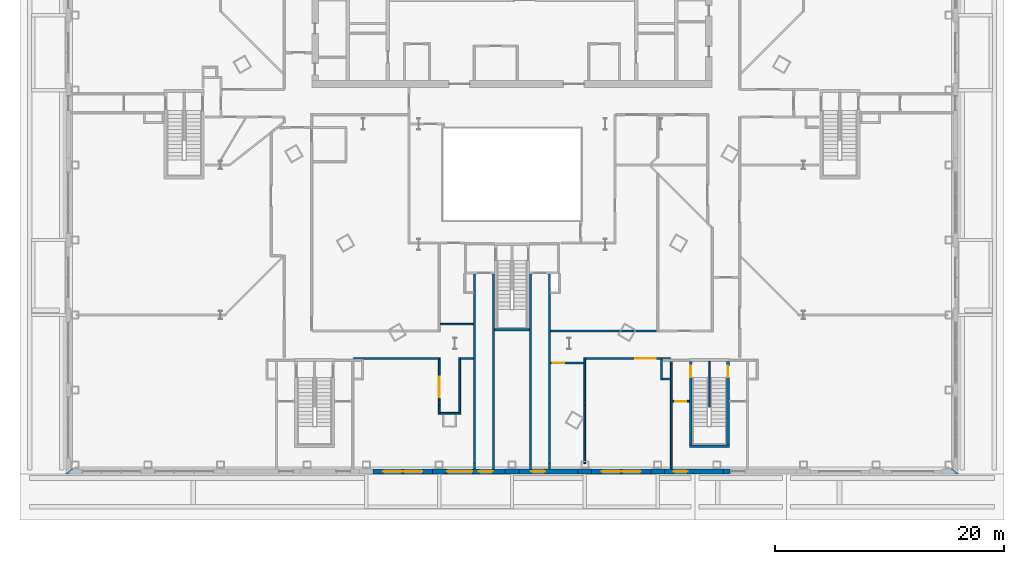
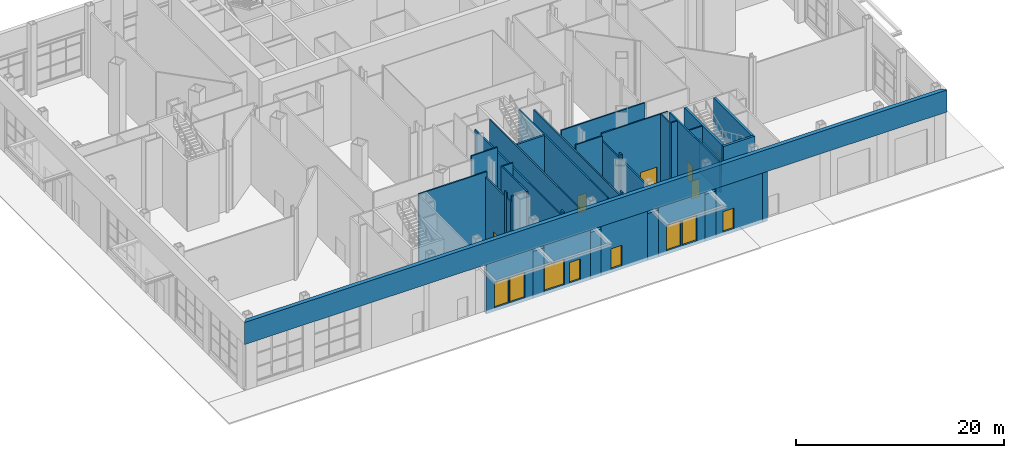
# One storey, part 17 of 34: 40 walls, 14 doors, 14 openings.
"""IFC4 building model written with IfcOpenShell, lengths in metres."""

from ifc_helpers import new_model, si_unit, direction, frame, frame_2d, origin, place, context, subcontext, project, spatial, polyline, rectangle, outline, extrude, material, layer, layer_set, type_object, element, fill, save


model = new_model("IFC4")

# Units and contexts
model_context = context("Model", 3, precision=1e-05, world=origin(), true_north=direction((0.0, 1.0)))
body_context = subcontext(model_context, "Body", "Model", "MODEL_VIEW")
ifc_project = project(units=[si_unit("LENGTHUNIT", "METRE"), si_unit("AREAUNIT", "SQUARE_METRE"), si_unit("VOLUMEUNIT", "CUBIC_METRE"), si_unit("PLANEANGLEUNIT", "RADIAN"), si_unit("MASSUNIT", "GRAM", prefix="KILO")], contexts=[model_context])

# Site, building, storey
site_placement = place(None, origin())
site = spatial("IfcSite", under=ifc_project, at=site_placement, CompositionType="ELEMENT")
building_placement = place(site_placement, origin())
building = spatial("IfcBuilding", under=site, at=building_placement, Name="Njiva Tower", CompositionType="ELEMENT")
storey_placement = place(building_placement, origin())
storey = spatial("IfcBuildingStorey", under=building, at=storey_placement, Name="L00", CompositionType="ELEMENT", Elevation=0.0)

# Wall, opening, door
ifc_material_1 = material(Name="Blockwork", Category="masonry")
ifc_layer_1 = layer(ifc_material_1, 0.15)
ifc_layer_set_1 = layer_set([ifc_layer_1], Name="Blockwork")
wall_type_1 = type_object("IfcWallType", Name="WT2 Lobby partition 150", PredefinedType="PARTITIONING", material=ifc_layer_set_1)
wall_1_placement = place(storey_placement, frame((14.0, -27.45, 0.0), z_axis=(0.0, 0.0, 1.0), x_axis=(1.0, 0.0, 0.0)))
wall_1 = element("IfcWall", 1, at=wall_1_placement, inside=storey, type_object=wall_type_1, Name="Stair E basement vestibule wall", PredefinedType="PARTITIONING", context=body_context, shape_type="SweptSolid", body=[
    extrude(rectangle(XDim=1.5, YDim=0.15, at=frame_2d((0.75, 0.0))), origin(), (0.0, 0.0, 1.0), 8.18),
])
opening_1_placement = place(wall_1_placement, frame((0.25, 0.0, 0.0)))
opening_1 = element("IfcOpeningElement", 2, at=opening_1_placement, cuts=wall_1, Name="Opening L00-D955", PredefinedType="OPENING", context=body_context, shape_type="SweptSolid", body=[
    extrude(rectangle(XDim=1.0, YDim=2.1, at=frame_2d((0.5, 1.05))), frame((0.0, 0.085, 0.0), z_axis=(0.0, -1.0, 0.0), x_axis=(1.0, 0.0, 0.0)), (0.0, 0.0, 1.0), 0.17),
])
ifc_material_2 = material(Name="Glazed steel fire door", Category="steel")
door_type_1 = type_object("IfcDoorType", Name="D11 Stair passage door 1000x2100 glazed", OperationType="SINGLE_SWING_LEFT", PredefinedType="DOOR", material=ifc_material_2)
door_1_placement = place(opening_1_placement, origin())
door_1 = element("IfcDoor", 3, at=door_1_placement, inside=storey, type_object=door_type_1, Name="Stair E passage door", OperationType="SINGLE_SWING_LEFT", OverallHeight=2.1, OverallWidth=1.0, PredefinedType="DOOR", context=body_context, shape_type="SweptSolid", body=[
    extrude(rectangle(XDim=1.0, YDim=2.1, at=frame_2d((0.5, 1.05))), frame((0.0, 0.025, 0.0), z_axis=(0.0, -1.0, 0.0), x_axis=(1.0, 0.0, 0.0)), (0.0, 0.0, 1.0), 0.05),
])
fill(opening_1, door_1)

# Walls
ifc_material_3 = material(Name="Gypsum board on steel studs", Category="gypsum")
ifc_layer_2 = layer(ifc_material_3, 0.15)
ifc_layer_set_2 = layer_set([ifc_layer_2], Name="Gypsum board on steel studs")
wall_type_2 = type_object("IfcWallType", Name="WT21 Compartment wall 150", PredefinedType="PARTITIONING", material=ifc_layer_set_2)
wall_2_placement = place(storey_placement, frame((-13.83, -23.7, 0.0), z_axis=(0.0, 0.0, 1.0), x_axis=(1.0, 0.0, 0.0)))
element("IfcWall", 4, at=wall_2_placement, inside=storey, type_object=wall_type_2, Name="Partition L00-P035", PredefinedType="PARTITIONING", context=body_context, shape_type="SweptSolid", body=[
    extrude(rectangle(XDim=7.545, YDim=0.15, at=frame_2d((3.7725, 0.0))), origin(), (0.0, 0.0, 1.0), 8.18),
])
wall_3_placement = place(storey_placement, frame((-6.361, -28.571, 0.0), z_axis=(0.0, 0.0, 1.0), x_axis=(0.000251572319, 0.999999968356, 0.0)))
element("IfcWall", 5, at=wall_3_placement, inside=storey, type_object=wall_type_2, Name="Partition L00-P040", PredefinedType="PARTITIONING", context=body_context, shape_type="SweptSolid", body=[
    extrude(rectangle(XDim=0.795, YDim=0.15, at=frame_2d((0.3975, 0.0))), origin(), (0.0, 0.0, 1.0), 7.58),
])
wall_4_placement = place(storey_placement, frame((-6.3608, -27.776, 0.0), z_axis=(0.0, 0.0, 1.0), x_axis=(0.0, 1.0, 0.0)))
element("IfcWall", 6, at=wall_4_placement, inside=storey, type_object=wall_type_2, Name="Partition L00-P040A", PredefinedType="PARTITIONING", context=body_context, shape_type="SweptSolid", body=[
    extrude(rectangle(XDim=0.39, YDim=0.15, at=frame_2d((0.195, 0.0))), origin(), (0.0, 0.0, 1.0), 8.18),
])

# Wall, opening, door
wall_5_placement = place(storey_placement, frame((-6.3608, -27.386, 0.0), z_axis=(0.0, 0.0, 1.0), x_axis=(0.000221545273, 0.999999975459, 0.0)))
wall_5 = element("IfcWall", 7, at=wall_5_placement, inside=storey, type_object=wall_type_2, Name="Partition L00-P040B", PredefinedType="PARTITIONING", context=body_context, shape_type="SweptSolid", body=[
    extrude(rectangle(XDim=3.611, YDim=0.15, at=frame_2d((1.8055, 0.0))), origin(), (0.0, 0.0, 1.0), 7.58),
])
opening_2_placement = place(wall_5_placement, frame((0.3, 0.0, 0.0)))
opening_2 = element("IfcOpeningElement", 8, at=opening_2_placement, cuts=wall_5, Name="Opening L00-D014", PredefinedType="OPENING", context=body_context, shape_type="SweptSolid", body=[
    extrude(rectangle(XDim=1.8, YDim=2.1, at=frame_2d((0.9, 1.05))), frame((0.0, 0.085, 0.0), z_axis=(0.0, -1.0, 0.0), x_axis=(1.0, 0.0, 0.0)), (0.0, 0.0, 1.0), 0.17),
])
ifc_material_4 = material(Name="Steel fire door set", Category="steel")
door_type_2 = type_object("IfcDoorType", Name="D38 Fire door 1800x2100", OperationType="DOUBLE_DOOR_SINGLE_SWING", PredefinedType="DOOR", material=ifc_material_4)
door_2_placement = place(opening_2_placement, origin())
door_2 = element("IfcDoor", 9, at=door_2_placement, inside=storey, type_object=door_type_2, Name="Door L00-D014", OperationType="DOUBLE_DOOR_SINGLE_SWING", OverallHeight=2.1, OverallWidth=1.8, PredefinedType="DOOR", context=body_context, shape_type="SweptSolid", body=[
    extrude(rectangle(XDim=1.8, YDim=2.1, at=frame_2d((0.9, 1.05))), frame((0.0, 0.025, 0.0), z_axis=(0.0, -1.0, 0.0), x_axis=(1.0, 0.0, 0.0)), (0.0, 0.0, 1.0), 0.05),
])
fill(opening_2, door_2)

# Walls
wall_6_placement = place(storey_placement, frame((-6.292, -20.7, 0.0), z_axis=(0.0, 0.0, 1.0), x_axis=(1.0, 0.0, 0.0)))
element("IfcWall", 10, at=wall_6_placement, inside=storey, type_object=wall_type_2, Name="Partition L00-P041", PredefinedType="PARTITIONING", context=body_context, shape_type="SweptSolid", body=[
    extrude(rectangle(XDim=2.922, YDim=0.15, at=frame_2d((1.461, 0.0))), origin(), (0.0, 0.0, 1.0), 8.18),
])
wall_7_placement = place(storey_placement, frame((-6.286, -28.496, 0.0), z_axis=(0.0, 0.0, 1.0), x_axis=(1.0, 0.0, 0.0)))
element("IfcWall", 11, at=wall_7_placement, inside=storey, type_object=wall_type_2, Name="Partition L00-P043", PredefinedType="PARTITIONING", context=body_context, shape_type="SweptSolid", body=[
    extrude(rectangle(XDim=1.65, YDim=0.15, at=frame_2d((0.825, 0.0))), origin(), (0.0, 0.0, 1.0), 8.18),
])
wall_8_placement = place(storey_placement, frame((-4.561, -28.571, 0.0), z_axis=(0.0, 0.0, 1.0), x_axis=(0.000202183579, 0.999999979561, 0.0)))
element("IfcWall", 12, at=wall_8_placement, inside=storey, type_object=wall_type_2, Name="Partition L00-P045", PredefinedType="PARTITIONING", context=body_context, shape_type="SweptSolid", body=[
    extrude(rectangle(XDim=4.946, YDim=0.15, at=frame_2d((2.473, 0.0))), origin(), (0.0, 0.0, 1.0), 8.18),
])
wall_9_placement = place(storey_placement, frame((-4.485, -23.7, 0.0), z_axis=(0.0, 0.0, 1.0), x_axis=(1.0, 0.0, 0.0)))
element("IfcWall", 13, at=wall_9_placement, inside=storey, type_object=wall_type_2, Name="Partition L00-P046", PredefinedType="PARTITIONING", context=body_context, shape_type="SweptSolid", body=[
    extrude(rectangle(XDim=1.115, YDim=0.15, at=frame_2d((0.5575, 0.0))), origin(), (0.0, 0.0, 1.0), 8.18),
])

# Wall, opening, door
wall_10_placement = place(storey_placement, frame((3.37, -24.1, 0.0), z_axis=(0.0, 0.0, 1.0), x_axis=(1.0, 0.0, 0.0)))
wall_10 = element("IfcWall", 14, at=wall_10_placement, inside=storey, type_object=wall_type_2, Name="Partition L00-P047", PredefinedType="PARTITIONING", context=body_context, shape_type="SweptSolid", body=[
    extrude(rectangle(XDim=2.922, YDim=0.15, at=frame_2d((1.461, 0.0))), origin(), (0.0, 0.0, 1.0), 8.18),
])
opening_3_placement = place(wall_10_placement, frame((0.2, 0.0, 0.0)))
opening_3 = element("IfcOpeningElement", 15, at=opening_3_placement, cuts=wall_10, Name="Opening L00-D016", PredefinedType="OPENING", context=body_context, shape_type="SweptSolid", body=[
    extrude(rectangle(XDim=1.0, YDim=2.1, at=frame_2d((0.5, 1.05))), frame((0.0, 0.085, 0.0), z_axis=(0.0, -1.0, 0.0), x_axis=(1.0, 0.0, 0.0)), (0.0, 0.0, 1.0), 0.17),
])
door_type_3 = type_object("IfcDoorType", Name="D37 Fire door 1000x2100", OperationType="SINGLE_SWING_LEFT", PredefinedType="DOOR", material=ifc_material_4)
door_3_placement = place(opening_3_placement, origin())
door_3 = element("IfcDoor", 16, at=door_3_placement, inside=storey, type_object=door_type_3, Name="Door L00-D016", OperationType="SINGLE_SWING_LEFT", OverallHeight=2.1, OverallWidth=1.0, PredefinedType="DOOR", context=body_context, shape_type="SweptSolid", body=[
    extrude(rectangle(XDim=1.0, YDim=2.1, at=frame_2d((0.5, 1.05))), frame((0.0, 0.025, 0.0), z_axis=(0.0, -1.0, 0.0), x_axis=(1.0, 0.0, 0.0)), (0.0, 0.0, 1.0), 0.05),
])
fill(opening_3, door_3)

# Walls
wall_11_placement = place(storey_placement, frame((3.37, -21.3, 0.0), z_axis=(0.0, 0.0, 1.0), x_axis=(0.999999994204, 0.000107665805, 0.0)))
element("IfcWall", 17, at=wall_11_placement, inside=storey, type_object=wall_type_2, Name="Partition L00-P048", PredefinedType="PARTITIONING", context=body_context, shape_type="SweptSolid", body=[
    extrude(rectangle(XDim=9.288, YDim=0.15, at=frame_2d((4.644, 0.0))), origin(), (0.0, 0.0, 1.0), 8.18),
])
wall_12_placement = place(storey_placement, frame((6.367, -32.9, 0.0), z_axis=(0.0, 0.0, 1.0), x_axis=(0.0, 1.0, 0.0)))
element("IfcWall", 18, at=wall_12_placement, inside=storey, type_object=wall_type_2, Name="Partition L00-P051", PredefinedType="PARTITIONING", context=body_context, shape_type="SweptSolid", body=[
    extrude(rectangle(XDim=5.124, YDim=0.15, at=frame_2d((2.562, 0.0))), origin(), (0.0, 0.0, 1.0), 7.58),
])
wall_13_placement = place(storey_placement, frame((6.367, -27.776, 0.0), z_axis=(0.0, 0.0, 1.0), x_axis=(0.0, 1.0, 0.0)))
element("IfcWall", 19, at=wall_13_placement, inside=storey, type_object=wall_type_2, Name="Partition L00-P051A", PredefinedType="PARTITIONING", context=body_context, shape_type="SweptSolid", body=[
    extrude(rectangle(XDim=0.39, YDim=0.15, at=frame_2d((0.195, 0.0))), origin(), (0.0, 0.0, 1.0), 8.18),
])
wall_14_placement = place(storey_placement, frame((6.367, -27.386, 0.0), z_axis=(0.0, 0.0, 1.0), x_axis=(0.0, 1.0, 0.0)))
element("IfcWall", 20, at=wall_14_placement, inside=storey, type_object=wall_type_2, Name="Partition L00-P051B", PredefinedType="PARTITIONING", context=body_context, shape_type="SweptSolid", body=[
    extrude(rectangle(XDim=3.761, YDim=0.15, at=frame_2d((1.8805, 0.0))), origin(), (0.0, 0.0, 1.0), 7.58),
])

# Wall, opening, door
wall_15_placement = place(storey_placement, frame((6.442, -23.7, 0.0), z_axis=(0.0, 0.0, 1.0), x_axis=(1.0, 0.0, 0.0)))
wall_15 = element("IfcWall", 21, at=wall_15_placement, inside=storey, type_object=wall_type_2, Name="Partition L00-P052", PredefinedType="PARTITIONING", context=body_context, shape_type="SweptSolid", body=[
    extrude(rectangle(XDim=7.388, YDim=0.15, at=frame_2d((3.694, 0.0))), origin(), (0.0, 0.0, 1.0), 8.18),
])
opening_4_placement = place(wall_15_placement, frame((4.33, 0.0, 0.0)))
opening_4 = element("IfcOpeningElement", 22, at=opening_4_placement, cuts=wall_15, Name="Opening L00-D018", PredefinedType="OPENING", context=body_context, shape_type="SweptSolid", body=[
    extrude(rectangle(XDim=1.8, YDim=2.1, at=frame_2d((0.9, 1.05))), frame((0.0, 0.085, 0.0), z_axis=(0.0, -1.0, 0.0), x_axis=(1.0, 0.0, 0.0)), (0.0, 0.0, 1.0), 0.17),
])
door_4_placement = place(opening_4_placement, origin())
door_4 = element("IfcDoor", 23, at=door_4_placement, inside=storey, type_object=door_type_2, Name="Door L00-D018", OperationType="DOUBLE_DOOR_SINGLE_SWING", OverallHeight=2.1, OverallWidth=1.8, PredefinedType="DOOR", context=body_context, shape_type="SweptSolid", body=[
    extrude(rectangle(XDim=1.8, YDim=2.1, at=frame_2d((0.9, 1.05))), frame((0.0, 0.025, 0.0), z_axis=(0.0, -1.0, 0.0), x_axis=(1.0, 0.0, 0.0)), (0.0, 0.0, 1.0), 0.05),
])
fill(opening_4, door_4)

# Walls
ifc_layer_3 = layer(ifc_material_1, 0.15)
ifc_layer_set_3 = layer_set([ifc_layer_3], Name="Blockwork")
wall_type_3 = type_object("IfcWallType", Name="WT4 Stair partition 150", PredefinedType="PARTITIONING", material=ifc_layer_set_3)
wall_16_placement = place(storey_placement, frame((1.625, -33.35, 0.0), z_axis=(0.0, 0.0, 1.0), x_axis=(0.0, 1.0, 0.0)))
element("IfcWall", 24, at=wall_16_placement, inside=storey, type_object=wall_type_3, Name="Stair C basement exit passage wall west", PredefinedType="PARTITIONING", context=body_context, shape_type="SweptSolid", body=[
    extrude(rectangle(XDim=17.05, YDim=0.15, at=frame_2d((8.525, 0.0))), origin(), (0.0, 0.0, 1.0), 8.18),
])
wall_17_placement = place(storey_placement, frame((3.275, -33.35, 0.0), z_axis=(0.0, 0.0, 1.0), x_axis=(0.0, 1.0, 0.0)))
element("IfcWall", 25, at=wall_17_placement, inside=storey, type_object=wall_type_3, Name="Stair C basement exit passage wall east", PredefinedType="PARTITIONING", context=body_context, shape_type="SweptSolid", body=[
    extrude(rectangle(XDim=0.45, YDim=0.15, at=frame_2d((0.225, 0.0))), origin(), (0.0, 0.0, 1.0), 8.18),
])
wall_18_placement = place(storey_placement, frame((3.275, -32.9, 0.0), z_axis=(0.0, 0.0, 1.0), x_axis=(0.0, 1.0, 0.0)))
element("IfcWall", 26, at=wall_18_placement, inside=storey, type_object=wall_type_3, Name="Stair C basement exit passage wall east", PredefinedType="PARTITIONING", context=body_context, shape_type="SweptSolid", body=[
    extrude(rectangle(XDim=16.6, YDim=0.15, at=frame_2d((8.3, 0.0))), origin(), (0.0, 0.0, 1.0), 7.58),
])
wall_19_placement = place(storey_placement, frame((-3.275, -33.35, 0.0), z_axis=(0.0, 0.0, 1.0), x_axis=(0.0, 1.0, 0.0)))
element("IfcWall", 27, at=wall_19_placement, inside=storey, type_object=wall_type_3, Name="Stair C upper exit passage wall west", PredefinedType="PARTITIONING", context=body_context, shape_type="SweptSolid", body=[
    extrude(rectangle(XDim=0.45, YDim=0.15, at=frame_2d((0.225, 0.0))), origin(), (0.0, 0.0, 1.0), 8.18),
])
wall_20_placement = place(storey_placement, frame((-3.275, -32.9, 0.0), z_axis=(0.0, 0.0, 1.0), x_axis=(0.0, 1.0, 0.0)))
element("IfcWall", 28, at=wall_20_placement, inside=storey, type_object=wall_type_3, Name="Stair C upper exit passage wall west", PredefinedType="PARTITIONING", context=body_context, shape_type="SweptSolid", body=[
    extrude(rectangle(XDim=16.6, YDim=0.15, at=frame_2d((8.3, 0.0))), origin(), (0.0, 0.0, 1.0), 7.58),
])
wall_21_placement = place(storey_placement, frame((-1.625, -33.35, 0.0), z_axis=(0.0, 0.0, 1.0), x_axis=(0.0, 1.0, 0.0)))
element("IfcWall", 29, at=wall_21_placement, inside=storey, type_object=wall_type_3, Name="Stair C upper exit passage wall east", PredefinedType="PARTITIONING", context=body_context, shape_type="SweptSolid", body=[
    extrude(rectangle(XDim=17.05, YDim=0.15, at=frame_2d((8.525, 0.0))), origin(), (0.0, 0.0, 1.0), 8.18),
])
wall_22_placement = place(storey_placement, frame((17.25, -27.97, 0.0), z_axis=(0.0, 0.0, 1.0), x_axis=(0.0, 1.0, 0.0)))
element("IfcWall", 30, at=wall_22_placement, inside=storey, type_object=wall_type_3, Name="Stair E dividing wall", PredefinedType="PARTITIONING", context=body_context, shape_type="SweptSolid", body=[
    extrude(rectangle(XDim=4.02, YDim=0.15, at=frame_2d((2.01, 0.0))), origin(), (0.0, 0.0, 1.0), 4.0),
])
wall_23_placement = place(storey_placement, frame((13.925, -33.35, 0.0), z_axis=(0.0, 0.0, 1.0), x_axis=(0.0, 1.0, 0.0)))
element("IfcWall", 31, at=wall_23_placement, inside=storey, type_object=wall_type_3, Name="Stair E basement exit passage wall outer", PredefinedType="PARTITIONING", context=body_context, shape_type="SweptSolid", body=[
    extrude(rectangle(XDim=9.425, YDim=0.15, at=frame_2d((4.7125, 0.0))), origin(), (0.0, 0.0, 1.0), 8.18),
])
wall_24_placement = place(storey_placement, frame((13.075, -25.575, 0.0), z_axis=(0.0, 0.0, 1.0), x_axis=(0.0, 1.0, 0.0)))
element("IfcWall", 32, at=wall_24_placement, inside=storey, type_object=wall_type_3, Name="Stair E basement pressurisation shaft wall", PredefinedType="PARTITIONING", context=body_context, shape_type="SweptSolid", body=[
    extrude(rectangle(XDim=1.8, YDim=0.15, at=frame_2d((0.9, 0.0))), origin(), (0.0, 0.0, 1.0), 8.18),
])
wall_25_placement = place(storey_placement, frame((13.85, -25.5, 0.0), z_axis=(0.0, 0.0, 1.0), x_axis=(-1.0, 0.0, 0.0)))
element("IfcWall", 33, at=wall_25_placement, inside=storey, type_object=wall_type_3, Name="Stair E basement pressurisation shaft wall", PredefinedType="PARTITIONING", context=body_context, shape_type="SweptSolid", body=[
    extrude(rectangle(XDim=0.7, YDim=0.15, at=frame_2d((0.35, 0.0))), origin(), (0.0, 0.0, 1.0), 8.18),
])
ifc_material_5 = material(Name="Concrete C40/50", Category="concrete")
ifc_layer_4 = layer(ifc_material_5, 0.225)
ifc_layer_set_4 = layer_set([ifc_layer_4], Name="Concrete C40/50")
wall_type_4 = type_object("IfcWallType", Name="WT8 Stair enclosure wall 225", PredefinedType="SHEAR", material=ifc_layer_set_4)
wall_26_placement = place(storey_placement, frame((-1.55, -21.1875, 0.0), z_axis=(0.0, 0.0, 1.0), x_axis=(1.0, 0.0, 0.0)))
element("IfcWall", 34, at=wall_26_placement, inside=storey, type_object=wall_type_4, Name="Stair C wall south", PredefinedType="SHEAR", context=body_context, shape_type="SweptSolid", body=[
    extrude(rectangle(XDim=3.1, YDim=0.225, at=frame_2d((1.55, 0.0))), origin(), (0.0, 0.0, 1.0), 8.18),
])

# Wall, opening, door
ifc_layer_5 = layer(ifc_material_5, 0.25)
ifc_layer_set_5 = layer_set([ifc_layer_5], Name="Concrete C40/50")
wall_type_5 = type_object("IfcWallType", Name="WT9 Stair enclosure wall 250", PredefinedType="SHEAR", material=ifc_layer_set_5)
wall_27_placement = place(storey_placement, frame((15.625, -31.25, 0.0), z_axis=(0.0, 0.0, 1.0), x_axis=(0.0, 1.0, 0.0)))
wall_27 = element("IfcWall", 35, at=wall_27_placement, inside=storey, type_object=wall_type_5, Name="Stair E wall west", PredefinedType="SHEAR", context=body_context, shape_type="SweptSolid", body=[
    extrude(rectangle(XDim=7.3, YDim=0.25, at=frame_2d((3.65, 0.0))), origin(), (0.0, 0.0, 1.0), 8.18),
])
opening_5_placement = place(wall_27_placement, frame((5.9, 0.0, 0.0)))
opening_5 = element("IfcOpeningElement", 36, at=opening_5_placement, cuts=wall_27, Name="Opening L00-D954", PredefinedType="OPENING", context=body_context, shape_type="SweptSolid", body=[
    extrude(rectangle(XDim=1.0, YDim=2.1, at=frame_2d((0.5, 1.05))), frame((0.0, 0.135, 0.0), z_axis=(0.0, -1.0, 0.0), x_axis=(1.0, 0.0, 0.0)), (0.0, 0.0, 1.0), 0.27),
])
door_type_4 = type_object("IfcDoorType", Name="D9 Stair vestibule door 1000x2100 glazed", OperationType="SINGLE_SWING_LEFT", PredefinedType="DOOR", material=ifc_material_2)
door_5_placement = place(opening_5_placement, origin())
door_5 = element("IfcDoor", 37, at=door_5_placement, inside=storey, type_object=door_type_4, Name="Stair E door", OperationType="SINGLE_SWING_LEFT", OverallHeight=2.1, OverallWidth=1.0, PredefinedType="DOOR", context=body_context, shape_type="SweptSolid", body=[
    extrude(rectangle(XDim=1.0, YDim=2.1, at=frame_2d((0.5, 1.05))), frame((0.0, 0.025, 0.0), z_axis=(0.0, -1.0, 0.0), x_axis=(1.0, 0.0, 0.0)), (0.0, 0.0, 1.0), 0.05),
])
fill(opening_5, door_5)

wall_28_placement = place(storey_placement, frame((18.875, -31.25, 0.0), z_axis=(0.0, 0.0, 1.0), x_axis=(0.0, 1.0, 0.0)))
wall_28 = element("IfcWall", 38, at=wall_28_placement, inside=storey, type_object=wall_type_5, Name="Stair E wall east", PredefinedType="SHEAR", context=body_context, shape_type="SweptSolid", body=[
    extrude(rectangle(XDim=7.3, YDim=0.25, at=frame_2d((3.65, 0.0))), origin(), (0.0, 0.0, 1.0), 8.18),
])
opening_6_placement = place(wall_28_placement, frame((5.9, 0.0, 0.0)))
opening_6 = element("IfcOpeningElement", 39, at=opening_6_placement, cuts=wall_28, Name="Opening L00-D952", PredefinedType="OPENING", context=body_context, shape_type="SweptSolid", body=[
    extrude(rectangle(XDim=1.0, YDim=2.1, at=frame_2d((0.5, 1.05))), frame((0.0, 0.135, 0.0), z_axis=(0.0, -1.0, 0.0), x_axis=(1.0, 0.0, 0.0)), (0.0, 0.0, 1.0), 0.27),
])
door_6_placement = place(opening_6_placement, origin())
door_6 = element("IfcDoor", 40, at=door_6_placement, inside=storey, type_object=door_type_4, Name="Stair E door", OperationType="SINGLE_SWING_RIGHT", OverallHeight=2.1, OverallWidth=1.0, PredefinedType="DOOR", context=body_context, shape_type="SweptSolid", body=[
    extrude(rectangle(XDim=1.0, YDim=2.1, at=frame_2d((0.5, 1.05))), frame((0.0, 0.025, 0.0), z_axis=(0.0, -1.0, 0.0), x_axis=(1.0, 0.0, 0.0)), (0.0, 0.0, 1.0), 0.05),
])
fill(opening_6, door_6)

# Walls
wall_29_placement = place(storey_placement, frame((15.5, -31.375, 0.0), z_axis=(0.0, 0.0, 1.0), x_axis=(1.0, 0.0, 0.0)))
element("IfcWall", 41, at=wall_29_placement, inside=storey, type_object=wall_type_5, Name="Stair E wall south", PredefinedType="SHEAR", context=body_context, shape_type="SweptSolid", body=[
    extrude(rectangle(XDim=3.5, YDim=0.25, at=frame_2d((1.75, 0.0))), origin(), (0.0, 0.0, 1.0), 8.18),
])
ifc_material_6 = material(Name="Brick masonry", Category="masonry")
ifc_layer_6 = layer(ifc_material_6, 0.45)
ifc_layer_set_6 = layer_set([ifc_layer_6], Name="Brick masonry")
wall_type_6 = type_object("IfcWallType", Name="WT90 Brick pier and spandrel wall 450", PredefinedType="SOLIDWALL", material=ifc_layer_set_6)
wall_30_placement = place(storey_placement, frame((-38.775, -33.575, 5.4), z_axis=(0.0, 0.0, 1.0), x_axis=(1.0, 0.0, 0.0)))
element("IfcWall", 42, at=wall_30_placement, inside=storey, type_object=wall_type_6, Name="Podium frieze S", PredefinedType="SOLIDWALL", context=body_context, shape_type="SweptSolid", body=[
    extrude(outline(polyline([(-0.225, -0.225), (77.775, -0.225), (77.325, 0.225), (0.225, 0.225), (-0.225, -0.225)])), origin(), (0.0, 0.0, 1.0), 2.6),
])
for number, where, z_axis, x_axis, name in (
    (43, (-6.9667, -33.575, -0.4), (0.0, 0.0, 1.0), (1.0, 0.0, 0.0), "Podium pier S6"),
    (44, (-0.6, -33.575, -0.4), (0.0, 0.0, 1.0), (1.0, 0.0, 0.0), "Podium pier S7"),
    (45, (5.7667, -33.575, -0.4), (0.0, 0.0, 1.0), (1.0, 0.0, 0.0), "Podium pier S8"),
    (46, (12.1333, -33.575, -0.4), (0.0, 0.0, 1.0), (1.0, 0.0, 0.0), "Podium pier S9"),
):
    element("IfcWall", number, at=place(storey_placement, frame(where, z_axis=z_axis, x_axis=x_axis)), inside=storey, type_object=wall_type_6, Name=name, PredefinedType="SOLIDWALL", context=body_context, shape_type="SweptSolid", body=[
        extrude(outline(polyline([(0.0, -0.225), (1.2, -0.225), (1.2, 0.225), (0.0, 0.225), (0.0, -0.225)])), origin(), (0.0, 0.0, 1.0), 5.51),
    ])
wall_31_placement = place(storey_placement, frame((18.5, -33.575, -0.4), z_axis=(0.0, 0.0, 1.0), x_axis=(1.0, 0.0, 0.0)))
element("IfcWall", 47, at=wall_31_placement, inside=storey, type_object=wall_type_6, Name="Podium pier S10", PredefinedType="SOLIDWALL", context=body_context, shape_type="SweptSolid", body=[
    extrude(outline(polyline([(0.0, -0.225), (0.55, -0.225), (0.55, 0.225), (0.0, 0.225), (0.0, -0.225)])), origin(), (0.0, 0.0, 1.0), 5.8),
])

# Wall, openings, doors
ifc_layer_7 = layer(ifc_material_6, 0.45)
ifc_layer_set_7 = layer_set([ifc_layer_7], Name="Brick masonry")
wall_type_7 = type_object("IfcWallType", Name="WT91 Entrance infill wall 450", PredefinedType="SOLIDWALL", material=ifc_layer_set_7)
wall_32_placement = place(storey_placement, frame((-12.1333, -33.575, -0.4), z_axis=(0.0, 0.0, 1.0), x_axis=(1.0, 0.0, 0.0)))
wall_32 = element("IfcWall", 48, at=wall_32_placement, inside=storey, type_object=wall_type_7, Name="Entrance infill S5", PredefinedType="SOLIDWALL", context=body_context, shape_type="SweptSolid", body=[
    extrude(outline(polyline([(0.0, -0.225), (5.1666, -0.225), (5.1666, 0.225), (0.0, 0.225), (0.0, -0.225)])), origin(), (0.0, 0.0, 1.0), 5.8),
])
opening_7_placement = place(wall_32_placement, frame((0.8733, 0.0, 0.4)))
opening_7 = element("IfcOpeningElement", 49, at=opening_7_placement, cuts=wall_32, Name="Opening L00-D08", PredefinedType="OPENING", context=body_context, shape_type="SweptSolid", body=[
    extrude(rectangle(XDim=1.65, YDim=3.0, at=frame_2d((0.825, 1.5))), frame((0.0, 0.235, 0.0), z_axis=(0.0, -1.0, 0.0), x_axis=(1.0, 0.0, 0.0)), (0.0, 0.0, 1.0), 0.47),
])
opening_8_placement = place(wall_32_placement, frame((2.6433, 0.0, 0.4)))
opening_8 = element("IfcOpeningElement", 50, at=opening_8_placement, cuts=wall_32, Name="Opening L00-D20", PredefinedType="OPENING", context=body_context, shape_type="SweptSolid", body=[
    extrude(rectangle(XDim=1.65, YDim=3.0, at=frame_2d((0.825, 1.5))), frame((0.0, 0.235, 0.0), z_axis=(0.0, -1.0, 0.0), x_axis=(1.0, 0.0, 0.0)), (0.0, 0.0, 1.0), 0.47),
])
ifc_material_7 = material(Name="Aluminium frame with clear glazing", Category="aluminium")
door_type_5 = type_object("IfcDoorType", Name="D93 Entrance door 1650x3000", OperationType="DOUBLE_DOOR_DOUBLE_SWING", PredefinedType="DOOR", material=ifc_material_7)
door_7_placement = place(opening_7_placement, frame((1.65, 0.0, 0.0), z_axis=(0.0, 0.0, 1.0), x_axis=(-1.0, 0.0, 0.0)))
door_7 = element("IfcDoor", 51, at=door_7_placement, inside=storey, type_object=door_type_5, Name="Station entrance door", OperationType="DOUBLE_DOOR_DOUBLE_SWING", OverallHeight=3.0, OverallWidth=1.65, PredefinedType="DOOR", context=body_context, shape_type="SweptSolid", body=[
    extrude(rectangle(XDim=1.65, YDim=3.0, at=frame_2d((0.825, 1.5))), frame((0.0, 0.025, 0.0), z_axis=(0.0, -1.0, 0.0), x_axis=(1.0, 0.0, 0.0)), (0.0, 0.0, 1.0), 0.05),
])
fill(opening_7, door_7)
door_8_placement = place(opening_8_placement, frame((1.65, 0.0, 0.0), z_axis=(0.0, 0.0, 1.0), x_axis=(-1.0, 0.0, 0.0)))
door_8 = element("IfcDoor", 52, at=door_8_placement, inside=storey, type_object=door_type_5, Name="Station entrance door", OperationType="DOUBLE_DOOR_DOUBLE_SWING", OverallHeight=3.0, OverallWidth=1.65, PredefinedType="DOOR", context=body_context, shape_type="SweptSolid", body=[
    extrude(rectangle(XDim=1.65, YDim=3.0, at=frame_2d((0.825, 1.5))), frame((0.0, 0.025, 0.0), z_axis=(0.0, -1.0, 0.0), x_axis=(1.0, 0.0, 0.0)), (0.0, 0.0, 1.0), 0.05),
])
fill(opening_8, door_8)

wall_33_placement = place(storey_placement, frame((-5.7667, -33.575, -0.4), z_axis=(0.0, 0.0, 1.0), x_axis=(1.0, 0.0, 0.0)))
wall_33 = element("IfcWall", 53, at=wall_33_placement, inside=storey, type_object=wall_type_7, Name="Exit infill S6", PredefinedType="SOLIDWALL", context=body_context, shape_type="SweptSolid", body=[
    extrude(outline(polyline([(0.0, -0.225), (5.1667, -0.225), (5.1667, 0.225), (0.0, 0.225), (0.0, -0.225)])), origin(), (0.0, 0.0, 1.0), 5.8),
])
opening_9_placement = place(wall_33_placement, frame((2.8667, 0.0, 0.4)))
opening_9 = element("IfcOpeningElement", 54, at=opening_9_placement, cuts=wall_33, Name="Opening L00-ED7", PredefinedType="OPENING", context=body_context, shape_type="SweptSolid", body=[
    extrude(rectangle(XDim=1.2, YDim=2.4, at=frame_2d((0.6, 1.2))), frame((0.0, 0.235, 0.0), z_axis=(0.0, -1.0, 0.0), x_axis=(1.0, 0.0, 0.0)), (0.0, 0.0, 1.0), 0.47),
])
opening_10_placement = place(wall_33_placement, frame((0.1, 0.0, 0.4)))
opening_10 = element("IfcOpeningElement", 55, at=opening_10_placement, cuts=wall_33, Name="Opening L00-D09", PredefinedType="OPENING", context=body_context, shape_type="SweptSolid", body=[
    extrude(rectangle(XDim=2.2, YDim=3.0, at=frame_2d((1.1, 1.5))), frame((0.0, 0.235, 0.0), z_axis=(0.0, -1.0, 0.0), x_axis=(1.0, 0.0, 0.0)), (0.0, 0.0, 1.0), 0.47),
])
ifc_material_8 = material(Name="Steel frame door leaf", Category="steel")
door_type_6 = type_object("IfcDoorType", Name="D95 Exit discharge door 1200x2400", OperationType="SINGLE_SWING_RIGHT", PredefinedType="DOOR", material=ifc_material_8)
door_9_placement = place(opening_9_placement, frame((1.2, 0.0, 0.0), z_axis=(0.0, 0.0, 1.0), x_axis=(-1.0, 0.0, 0.0)))
door_9 = element("IfcDoor", 56, at=door_9_placement, inside=storey, type_object=door_type_6, Name="Exit door C", OperationType="SINGLE_SWING_RIGHT", OverallHeight=2.4, OverallWidth=1.2, PredefinedType="DOOR", context=body_context, shape_type="SweptSolid", body=[
    extrude(rectangle(XDim=1.2, YDim=2.4, at=frame_2d((0.6, 1.2))), frame((0.0, 0.025, 0.0), z_axis=(0.0, -1.0, 0.0), x_axis=(1.0, 0.0, 0.0)), (0.0, 0.0, 1.0), 0.05),
])
fill(opening_9, door_9)
door_type_7 = type_object("IfcDoorType", Name="D98 Entrance door set 2200x3000", OperationType="DOUBLE_DOOR_DOUBLE_SWING", PredefinedType="DOOR", material=ifc_material_7)
door_10_placement = place(opening_10_placement, frame((2.2, 0.0, 0.0), z_axis=(0.0, 0.0, 1.0), x_axis=(-1.0, 0.0, 0.0)))
door_10 = element("IfcDoor", 57, at=door_10_placement, inside=storey, type_object=door_type_7, Name="Station entrance door", OperationType="DOUBLE_DOOR_DOUBLE_SWING", OverallHeight=3.0, OverallWidth=2.2, PredefinedType="DOOR", context=body_context, shape_type="SweptSolid", body=[
    extrude(rectangle(XDim=2.2, YDim=3.0, at=frame_2d((1.1, 1.5))), frame((0.0, 0.025, 0.0), z_axis=(0.0, -1.0, 0.0), x_axis=(1.0, 0.0, 0.0)), (0.0, 0.0, 1.0), 0.05),
])
fill(opening_10, door_10)

# Wall, opening, door
wall_34_placement = place(storey_placement, frame((0.6, -33.575, -0.4), z_axis=(0.0, 0.0, 1.0), x_axis=(1.0, 0.0, 0.0)))
wall_34 = element("IfcWall", 58, at=wall_34_placement, inside=storey, type_object=wall_type_7, Name="Exit infill S7", PredefinedType="SOLIDWALL", context=body_context, shape_type="SweptSolid", body=[
    extrude(outline(polyline([(0.0, -0.225), (5.1667, -0.225), (5.1667, 0.225), (0.0, 0.225), (0.0, -0.225)])), origin(), (0.0, 0.0, 1.0), 5.8),
])
opening_11_placement = place(wall_34_placement, frame((1.1, 0.0, 0.4)))
opening_11 = element("IfcOpeningElement", 59, at=opening_11_placement, cuts=wall_34, Name="Opening L00-ED8", PredefinedType="OPENING", context=body_context, shape_type="SweptSolid", body=[
    extrude(rectangle(XDim=1.2, YDim=2.4, at=frame_2d((0.6, 1.2))), frame((0.0, 0.235, 0.0), z_axis=(0.0, -1.0, 0.0), x_axis=(1.0, 0.0, 0.0)), (0.0, 0.0, 1.0), 0.47),
])
door_11_placement = place(opening_11_placement, frame((1.2, 0.0, 0.0), z_axis=(0.0, 0.0, 1.0), x_axis=(-1.0, 0.0, 0.0)))
door_11 = element("IfcDoor", 60, at=door_11_placement, inside=storey, type_object=door_type_6, Name="Exit door C2", OperationType="SINGLE_SWING_LEFT", OverallHeight=2.4, OverallWidth=1.2, PredefinedType="DOOR", context=body_context, shape_type="SweptSolid", body=[
    extrude(rectangle(XDim=1.2, YDim=2.4, at=frame_2d((0.6, 1.2))), frame((0.0, 0.025, 0.0), z_axis=(0.0, -1.0, 0.0), x_axis=(1.0, 0.0, 0.0)), (0.0, 0.0, 1.0), 0.05),
])
fill(opening_11, door_11)

# Wall, openings, doors
wall_35_placement = place(storey_placement, frame((6.9667, -33.575, -0.4), z_axis=(0.0, 0.0, 1.0), x_axis=(1.0, 0.0, 0.0)))
wall_35 = element("IfcWall", 61, at=wall_35_placement, inside=storey, type_object=wall_type_7, Name="Entrance infill S8", PredefinedType="SOLIDWALL", context=body_context, shape_type="SweptSolid", body=[
    extrude(outline(polyline([(0.0, -0.225), (5.1666, -0.225), (5.1666, 0.225), (0.0, 0.225), (0.0, -0.225)])), origin(), (0.0, 0.0, 1.0), 5.8),
])
opening_12_placement = place(wall_35_placement, frame((0.8733, 0.0, 0.4)))
opening_12 = element("IfcOpeningElement", 62, at=opening_12_placement, cuts=wall_35, Name="Opening L00-D10", PredefinedType="OPENING", context=body_context, shape_type="SweptSolid", body=[
    extrude(rectangle(XDim=1.65, YDim=3.0, at=frame_2d((0.825, 1.5))), frame((0.0, 0.235, 0.0), z_axis=(0.0, -1.0, 0.0), x_axis=(1.0, 0.0, 0.0)), (0.0, 0.0, 1.0), 0.47),
])
opening_13_placement = place(wall_35_placement, frame((2.6433, 0.0, 0.4)))
opening_13 = element("IfcOpeningElement", 63, at=opening_13_placement, cuts=wall_35, Name="Opening L00-D21", PredefinedType="OPENING", context=body_context, shape_type="SweptSolid", body=[
    extrude(rectangle(XDim=1.65, YDim=3.0, at=frame_2d((0.825, 1.5))), frame((0.0, 0.235, 0.0), z_axis=(0.0, -1.0, 0.0), x_axis=(1.0, 0.0, 0.0)), (0.0, 0.0, 1.0), 0.47),
])
door_12_placement = place(opening_12_placement, frame((1.65, 0.0, 0.0), z_axis=(0.0, 0.0, 1.0), x_axis=(-1.0, 0.0, 0.0)))
door_12 = element("IfcDoor", 64, at=door_12_placement, inside=storey, type_object=door_type_5, Name="Station entrance door", OperationType="DOUBLE_DOOR_DOUBLE_SWING", OverallHeight=3.0, OverallWidth=1.65, PredefinedType="DOOR", context=body_context, shape_type="SweptSolid", body=[
    extrude(rectangle(XDim=1.65, YDim=3.0, at=frame_2d((0.825, 1.5))), frame((0.0, 0.025, 0.0), z_axis=(0.0, -1.0, 0.0), x_axis=(1.0, 0.0, 0.0)), (0.0, 0.0, 1.0), 0.05),
])
fill(opening_12, door_12)
door_13_placement = place(opening_13_placement, frame((1.65, 0.0, 0.0), z_axis=(0.0, 0.0, 1.0), x_axis=(-1.0, 0.0, 0.0)))
door_13 = element("IfcDoor", 65, at=door_13_placement, inside=storey, type_object=door_type_5, Name="Station entrance door", OperationType="DOUBLE_DOOR_DOUBLE_SWING", OverallHeight=3.0, OverallWidth=1.65, PredefinedType="DOOR", context=body_context, shape_type="SweptSolid", body=[
    extrude(rectangle(XDim=1.65, YDim=3.0, at=frame_2d((0.825, 1.5))), frame((0.0, 0.025, 0.0), z_axis=(0.0, -1.0, 0.0), x_axis=(1.0, 0.0, 0.0)), (0.0, 0.0, 1.0), 0.05),
])
fill(opening_13, door_13)

# Wall, opening, door
wall_36_placement = place(storey_placement, frame((13.3333, -33.575, -0.4), z_axis=(0.0, 0.0, 1.0), x_axis=(1.0, 0.0, 0.0)))
wall_36 = element("IfcWall", 66, at=wall_36_placement, inside=storey, type_object=wall_type_7, Name="Exit infill S9", PredefinedType="SOLIDWALL", context=body_context, shape_type="SweptSolid", body=[
    extrude(outline(polyline([(0.0, -0.225), (5.1667, -0.225), (5.1667, 0.225), (0.0, 0.225), (0.0, -0.225)])), origin(), (0.0, 0.0, 1.0), 5.8),
])
opening_14_placement = place(wall_36_placement, frame((0.8167, 0.0, 0.4)))
opening_14 = element("IfcOpeningElement", 67, at=opening_14_placement, cuts=wall_36, Name="Opening L00-ED9", PredefinedType="OPENING", context=body_context, shape_type="SweptSolid", body=[
    extrude(rectangle(XDim=1.2, YDim=2.4, at=frame_2d((0.6, 1.2))), frame((0.0, 0.235, 0.0), z_axis=(0.0, -1.0, 0.0), x_axis=(1.0, 0.0, 0.0)), (0.0, 0.0, 1.0), 0.47),
])
door_14_placement = place(opening_14_placement, frame((1.2, 0.0, 0.0), z_axis=(0.0, 0.0, 1.0), x_axis=(-1.0, 0.0, 0.0)))
door_14 = element("IfcDoor", 68, at=door_14_placement, inside=storey, type_object=door_type_6, Name="Exit door E2", OperationType="SINGLE_SWING_LEFT", OverallHeight=2.4, OverallWidth=1.2, PredefinedType="DOOR", context=body_context, shape_type="SweptSolid", body=[
    extrude(rectangle(XDim=1.2, YDim=2.4, at=frame_2d((0.6, 1.2))), frame((0.0, 0.025, 0.0), z_axis=(0.0, -1.0, 0.0), x_axis=(1.0, 0.0, 0.0)), (0.0, 0.0, 1.0), 0.05),
])
fill(opening_14, door_14)

save(model, "model.ifc")
